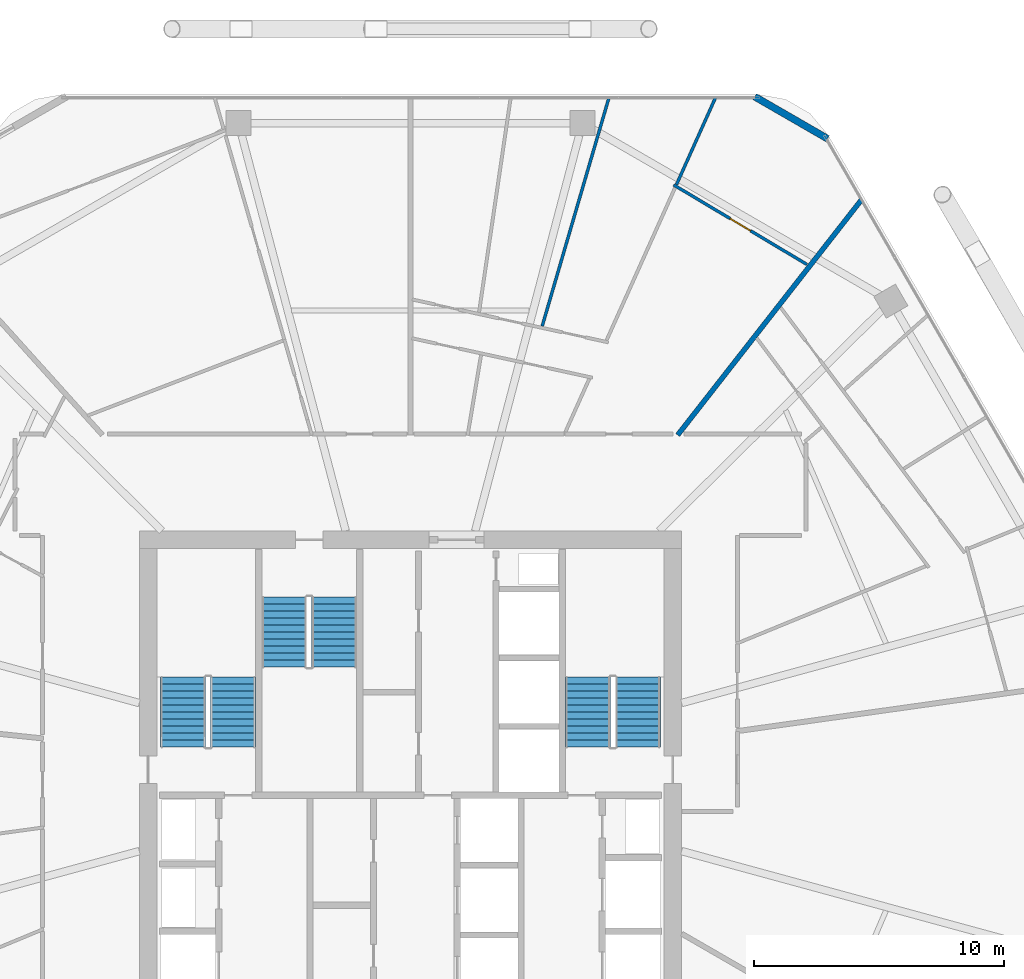
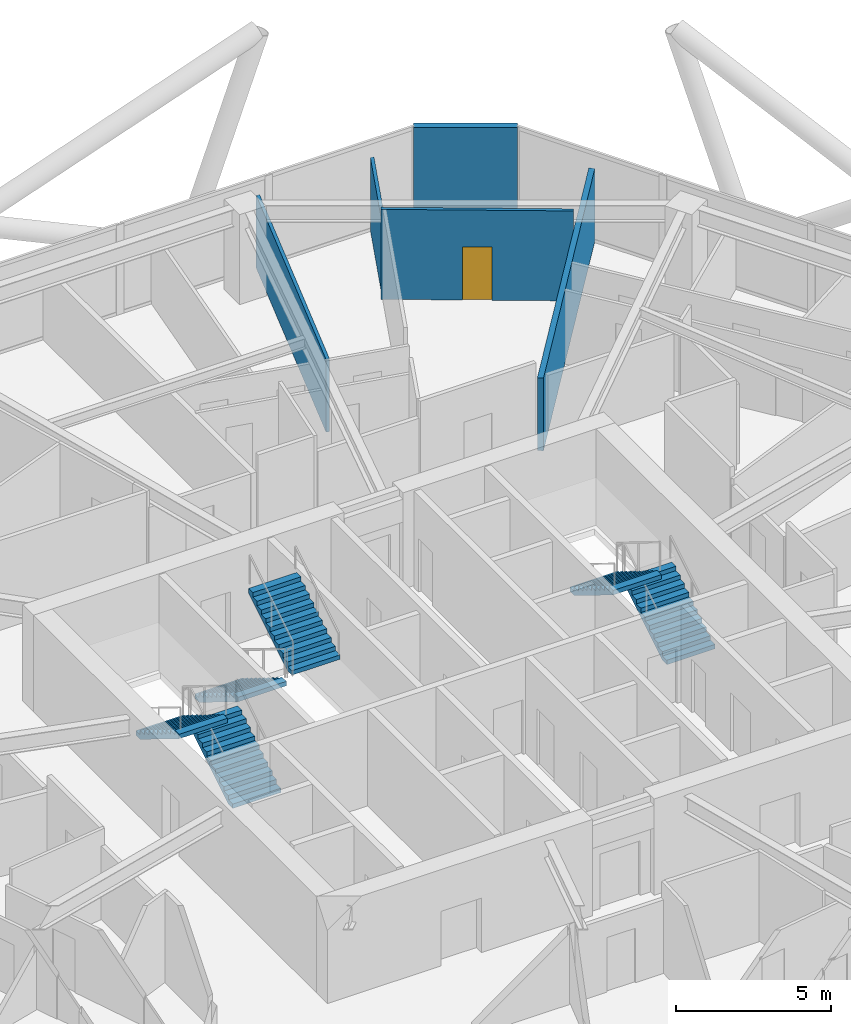
# One storey, part 25 of 28: 6 stair flights, 5 walls, 1 door, 1 opening, 3 elements without a shape of their own.
"""IFC4 building model written with IfcOpenShell, lengths in metres."""

from ifc_helpers import new_model, si_unit, direction, frame, frame_2d, origin, place, context, subcontext, project, spatial, polyline, rectangle, outline, extrude, material, layer, layer_set, type_object, element, fill, aggregate, save


model = new_model("IFC4")

# Units and contexts
model_context = context("Model", 3, precision=1e-05, world=origin(), true_north=direction((0.0, 1.0)))
body_context = subcontext(model_context, "Body", "Model", "MODEL_VIEW")
ifc_project = project(units=[si_unit("LENGTHUNIT", "METRE"), si_unit("AREAUNIT", "SQUARE_METRE"), si_unit("VOLUMEUNIT", "CUBIC_METRE"), si_unit("PLANEANGLEUNIT", "RADIAN"), si_unit("MASSUNIT", "GRAM", prefix="KILO")], contexts=[model_context])

# Site, building, storey
site_placement = place(None, origin())
site = spatial("IfcSite", under=ifc_project, at=site_placement, CompositionType="ELEMENT")
building_placement = place(site_placement, origin())
building = spatial("IfcBuilding", under=site, at=building_placement, Name="Zuhravey Tower", CompositionType="ELEMENT")
storey_placement = place(building_placement, frame((0.0, 0.0, 154.199951171875)))
storey = spatial("IfcBuildingStorey", under=building, at=storey_placement, Name="L38", CompositionType="ELEMENT", Elevation=154.199951171875)

# Walls
ifc_material_1 = material(Name="Precast concrete C40/50", Category="concrete")
ifc_layer_1 = layer(ifc_material_1, 0.280029296875)
ifc_layer_set_1 = layer_set([ifc_layer_1], Name="Precast concrete C40/50")
wall_type_1 = type_object("IfcWallType", Name="Crown Architectural Wall 280", PredefinedType="SOLIDWALL", material=ifc_layer_set_1)
wall_1_placement = place(storey_placement, frame((49.77880859375, 59.230712890625, 0.0), z_axis=(0.0, 0.0, 1.0), x_axis=(0.866020068361, -0.500009241111, 0.0)))
element("IfcWall", 1, at=wall_1_placement, inside=storey, type_object=wall_type_1, Name="L38 Rounded Corner Closure Wall EW28-10", PredefinedType="SOLIDWALL", context=body_context, shape_type="SweptSolid", body=[
    extrude(rectangle(XDim=3.365234375, YDim=0.280029296875, at=frame_2d((1.6826171875, 0.0))), origin(), (0.0, 0.0, 1.0), 3.550048828125),
])
ifc_material_2 = material(Name="Gypsum double-stud party assembly")
ifc_layer_2 = layer(ifc_material_2, 0.199951171875)
ifc_layer_set_2 = layer_set([ifc_layer_2], Name="Gypsum double-stud party assembly")
wall_type_2 = type_object("IfcWallType", Name="Inter-Tenancy Party Wall 200", PredefinedType="PARTITIONING", material=ifc_layer_set_2)
wall_2_placement = place(storey_placement, frame((46.69580078125, 45.68994140625, 0.0), z_axis=(0.0, 0.0, 1.0), x_axis=(0.615655544117, 0.788015387539, 0.0)))
element("IfcWall", 2, at=wall_2_placement, inside=storey, type_object=wall_type_2, Name="L38 IW20 Partition 068", PredefinedType="PARTITIONING", context=body_context, shape_type="SweptSolid", body=[
    extrude(rectangle(XDim=11.945068359375, YDim=0.199951171875, at=frame_2d((5.97265625, 0.0))), origin(), (0.0, 0.0, 1.0), 2.8701171875),
])

# Wall, opening, door
ifc_material_3 = material(Name="Gypsum metal-stud partition")
ifc_layer_3 = layer(ifc_material_3, 0.1201171875)
ifc_layer_set_3 = layer_set([ifc_layer_3], Name="Gypsum metal-stud partition")
wall_type_3 = type_object("IfcWallType", Name="Unit Internal Partition 120", PredefinedType="PARTITIONING", material=ifc_layer_set_3)
wall_3_placement = place(storey_placement, frame((51.8681640625, 52.515625, 0.0), z_axis=(0.0, 0.0, 1.0), x_axis=(-0.85861051464, 0.512628505012, 0.0)))
wall_3 = element("IfcWall", 3, at=wall_3_placement, inside=storey, type_object=wall_type_3, Name="L38 IW12 Partition 024", PredefinedType="PARTITIONING", context=body_context, shape_type="SweptSolid", body=[
    extrude(rectangle(XDim=6.214599609375, YDim=0.1201171875, at=frame_2d((3.107421875, 0.0))), origin(), (0.0, 0.0, 1.0), 3.550048828125),
])
opening_placement = place(wall_3_placement, frame((2.63232421875, 0.0, 0.0)))
opening = element("IfcOpeningElement", 4, at=opening_placement, cuts=wall_3, Name="Opening IND1", PredefinedType="OPENING", context=body_context, shape_type="SweptSolid", body=[
    extrude(rectangle(XDim=0.949951171875, YDim=2.10009765625, at=frame_2d((0.47509765625, 1.050048828125))), frame((0.0, 0.072021484375, 0.0), z_axis=(0.0, -1.0, 0.0), x_axis=(1.0, 0.0, 0.0)), (0.0, 0.0, 1.0), 0.14404296875),
])
ifc_material_4 = material(Name="Painted engineered timber leaf", Category="wood")
door_type = type_object("IfcDoorType", Name="Internal Room & Bedroom Door 950x2100", OperationType="NOTDEFINED", PredefinedType="DOOR", material=ifc_material_4)
door_placement = place(opening_placement, frame((0.949951171875, 0.0, 0.0), z_axis=(0.0, 0.0, 1.0), x_axis=(-1.0, 0.0, 0.0)))
door = element("IfcDoor", 5, at=door_placement, inside=storey, type_object=door_type, Name="Apartment L38-02 Family Study Door", OperationType="SINGLE_SWING_LEFT", OverallHeight=2.10009765625, OverallWidth=0.949951171875, PredefinedType="DOOR", context=body_context, shape_type="SweptSolid", body=[
    extrude(rectangle(XDim=0.949951171875, YDim=2.10009765625, at=frame_2d((0.47509765625, 1.050048828125))), frame((0.0, 0.02490234375, 0.0), z_axis=(0.0, -1.0, 0.0), x_axis=(1.0, 0.0, 0.0)), (0.0, 0.0, 1.0), 0.050048828125),
])
fill(opening, door)

# Walls
wall_4_placement = place(storey_placement, frame((41.272705078125, 50.046875, 0.0), z_axis=(0.0, 0.0, 1.0), x_axis=(0.280455502413, 0.959867027856, 0.0)))
element("IfcWall", 6, at=wall_4_placement, inside=storey, type_object=wall_type_3, Name="L38 IW12 Partition 070", PredefinedType="PARTITIONING", context=body_context, shape_type="SweptSolid", body=[
    extrude(rectangle(XDim=9.528564453125, YDim=0.1201171875, at=frame_2d((4.76416015625, 0.0))), origin(), (0.0, 0.0, 1.0), 2.8701171875),
])
wall_5_placement = place(storey_placement, frame((46.646728515625, 55.71240234375, 0.0), z_axis=(0.0, 0.0, 1.0), x_axis=(0.409634994126, 0.912249511695, 0.0)))
element("IfcWall", 7, at=wall_5_placement, inside=storey, type_object=wall_type_3, Name="L38 IW12 Partition 074", PredefinedType="PARTITIONING", context=body_context, shape_type="SweptSolid", body=[
    extrude(rectangle(XDim=3.8125, YDim=0.1201171875, at=frame_2d((1.90625, 0.0))), origin(), (0.0, 0.0, 1.0), 2.8701171875),
])

# Stair, stair flights
ifc_material_5 = material(Name="Concrete C40/50", Category="concrete")
stair_type = type_object("IfcStairType", Name="Housing Storey Stair Assembly 3800", PredefinedType="HALF_TURN_STAIR", material=ifc_material_5)
stair_1_placement = place(storey_placement, origin())
stair_1 = element("IfcStair", 8, at=stair_1_placement, inside=storey, type_object=stair_type, Name="L38 Core Exit Stair ST1", PredefinedType="HALF_TURN_STAIR")
stair_flight_type = type_object("IfcStairFlightType", Name="Housing Storey Stair Flight 3800", PredefinedType="STRAIGHT", material=ifc_material_5)
stair_flight_1_placement = place(storey_placement, frame((28.89990234375, 33.199951171875, 0.0), z_axis=(0.0, 0.0, 1.0), x_axis=(0.0, 1.0, 0.0)))
stair_flight_1 = element("IfcStairFlight", 9, at=stair_flight_1_placement, type_object=stair_flight_type, Name="ST1 flight 1", NumberOfRisers=11, NumberOfTreads=10, PredefinedType="STRAIGHT", RiserHeight=0.172727273, TreadLength=0.28, context=body_context, shape_type="SweptSolid", body=[
    extrude(outline(polyline([(0.0, 0.0), (0.0, 0.172607421875), (0.280029296875, 0.172607421875), (0.280029296875, 0.345458984375), (0.56005859375, 0.345458984375), (0.56005859375, 0.51806640625), (0.840087890625, 0.51806640625), (0.840087890625, 0.69091796875), (1.1201171875, 0.69091796875), (1.1201171875, 0.863525390625), (1.39990234375, 0.863525390625), (1.39990234375, 1.036376953125), (1.679931640625, 1.036376953125), (1.679931640625, 1.208984375), (1.9599609375, 1.208984375), (1.9599609375, 1.3818359375), (2.239990234375, 1.3818359375), (2.239990234375, 1.554443359375), (2.52001953125, 1.554443359375), (2.52001953125, 1.727294921875), (2.800048828125, 1.727294921875), (2.800048828125, 1.89990234375), (2.800048828125, 1.551025390625), (0.285400390625, 0.0), (0.0, 0.0)])), frame((0.0, 0.89990234375, 0.0), z_axis=(0.0, -1.0, 0.0), x_axis=(1.0, 0.0, 0.0)), (0.0, 0.0, 1.0), 1.800048828125),
])
stair_flight_2_placement = place(storey_placement, frame((26.89990234375, 36.0, 1.900146484375), z_axis=(0.0, 0.0, 1.0), x_axis=(0.0, -1.0, 0.0)))
stair_flight_2 = element("IfcStairFlight", 10, at=stair_flight_2_placement, type_object=stair_flight_type, Name="ST1 flight 2", NumberOfRisers=11, NumberOfTreads=10, PredefinedType="STRAIGHT", RiserHeight=0.172727273, TreadLength=0.28, context=body_context, shape_type="SweptSolid", body=[
    extrude(outline(polyline([(0.0, 0.0), (0.0, 0.172607421875), (0.280029296875, 0.172607421875), (0.280029296875, 0.345458984375), (0.56005859375, 0.345458984375), (0.56005859375, 0.51806640625), (0.840087890625, 0.51806640625), (0.840087890625, 0.69091796875), (1.1201171875, 0.69091796875), (1.1201171875, 0.863525390625), (1.39990234375, 0.863525390625), (1.39990234375, 1.036376953125), (1.679931640625, 1.036376953125), (1.679931640625, 1.208984375), (1.9599609375, 1.208984375), (1.9599609375, 1.3818359375), (2.239990234375, 1.3818359375), (2.239990234375, 1.554443359375), (2.52001953125, 1.554443359375), (2.52001953125, 1.727294921875), (2.800048828125, 1.727294921875), (2.800048828125, 1.89990234375), (2.800048828125, 1.551025390625), (0.285400390625, 0.0), (0.0, 0.0)])), frame((0.0, 0.89990234375, 0.0), z_axis=(0.0, -1.0, 0.0), x_axis=(1.0, 0.0, 0.0)), (0.0, 0.0, 1.0), 1.800048828125),
])
aggregate(stair_1, [stair_flight_1, stair_flight_2])

stair_2_placement = place(storey_placement, origin())
stair_2 = element("IfcStair", 11, at=stair_2_placement, inside=storey, type_object=stair_type, Name="L38 Core Exit Stair ST2", PredefinedType="HALF_TURN_STAIR")
stair_flight_3_placement = place(storey_placement, frame((45.10009765625, 33.199951171875, 0.0), z_axis=(0.0, 0.0, 1.0), x_axis=(0.0, 1.0, 0.0)))
stair_flight_3 = element("IfcStairFlight", 12, at=stair_flight_3_placement, type_object=stair_flight_type, Name="ST2 flight 1", NumberOfRisers=11, NumberOfTreads=10, PredefinedType="STRAIGHT", RiserHeight=0.172727273, TreadLength=0.28, context=body_context, shape_type="SweptSolid", body=[
    extrude(outline(polyline([(0.0, 0.0), (0.0, 0.172607421875), (0.280029296875, 0.172607421875), (0.280029296875, 0.345458984375), (0.56005859375, 0.345458984375), (0.56005859375, 0.51806640625), (0.840087890625, 0.51806640625), (0.840087890625, 0.69091796875), (1.1201171875, 0.69091796875), (1.1201171875, 0.863525390625), (1.39990234375, 0.863525390625), (1.39990234375, 1.036376953125), (1.679931640625, 1.036376953125), (1.679931640625, 1.208984375), (1.9599609375, 1.208984375), (1.9599609375, 1.3818359375), (2.239990234375, 1.3818359375), (2.239990234375, 1.554443359375), (2.52001953125, 1.554443359375), (2.52001953125, 1.727294921875), (2.800048828125, 1.727294921875), (2.800048828125, 1.89990234375), (2.800048828125, 1.551025390625), (0.285400390625, 0.0), (0.0, 0.0)])), frame((0.0, 0.89990234375, 0.0), z_axis=(0.0, -1.0, 0.0), x_axis=(1.0, 0.0, 0.0)), (0.0, 0.0, 1.0), 1.800048828125),
])
stair_flight_4_placement = place(storey_placement, frame((43.10009765625, 36.0, 1.900146484375), z_axis=(0.0, 0.0, 1.0), x_axis=(0.0, -1.0, 0.0)))
stair_flight_4 = element("IfcStairFlight", 13, at=stair_flight_4_placement, type_object=stair_flight_type, Name="ST2 flight 2", NumberOfRisers=11, NumberOfTreads=10, PredefinedType="STRAIGHT", RiserHeight=0.172727273, TreadLength=0.28, context=body_context, shape_type="SweptSolid", body=[
    extrude(outline(polyline([(0.0, 0.0), (0.0, 0.172607421875), (0.280029296875, 0.172607421875), (0.280029296875, 0.345458984375), (0.56005859375, 0.345458984375), (0.56005859375, 0.51806640625), (0.840087890625, 0.51806640625), (0.840087890625, 0.69091796875), (1.1201171875, 0.69091796875), (1.1201171875, 0.863525390625), (1.39990234375, 0.863525390625), (1.39990234375, 1.036376953125), (1.679931640625, 1.036376953125), (1.679931640625, 1.208984375), (1.9599609375, 1.208984375), (1.9599609375, 1.3818359375), (2.239990234375, 1.3818359375), (2.239990234375, 1.554443359375), (2.52001953125, 1.554443359375), (2.52001953125, 1.727294921875), (2.800048828125, 1.727294921875), (2.800048828125, 1.89990234375), (2.800048828125, 1.551025390625), (0.285400390625, 0.0), (0.0, 0.0)])), frame((0.0, 0.89990234375, 0.0), z_axis=(0.0, -1.0, 0.0), x_axis=(1.0, 0.0, 0.0)), (0.0, 0.0, 1.0), 1.800048828125),
])
aggregate(stair_2, [stair_flight_3, stair_flight_4])

stair_3_placement = place(storey_placement, origin())
stair_3 = element("IfcStair", 14, at=stair_3_placement, inside=storey, type_object=stair_type, Name="L38 Core Exit Stair ST3", PredefinedType="HALF_TURN_STAIR")
stair_flight_5_placement = place(storey_placement, frame((30.949951171875, 39.199951171875, 0.0), z_axis=(0.0, 0.0, 1.0), x_axis=(0.0, -1.0, 0.0)))
stair_flight_5 = element("IfcStairFlight", 15, at=stair_flight_5_placement, type_object=stair_flight_type, Name="ST3 flight 1", NumberOfRisers=11, NumberOfTreads=10, PredefinedType="STRAIGHT", RiserHeight=0.172727273, TreadLength=0.28, context=body_context, shape_type="SweptSolid", body=[
    extrude(outline(polyline([(0.0, 0.0), (0.0, 0.172607421875), (0.280029296875, 0.172607421875), (0.280029296875, 0.345458984375), (0.56005859375, 0.345458984375), (0.56005859375, 0.51806640625), (0.840087890625, 0.51806640625), (0.840087890625, 0.69091796875), (1.1201171875, 0.69091796875), (1.1201171875, 0.863525390625), (1.39990234375, 0.863525390625), (1.39990234375, 1.036376953125), (1.679931640625, 1.036376953125), (1.679931640625, 1.208984375), (1.9599609375, 1.208984375), (1.9599609375, 1.3818359375), (2.239990234375, 1.3818359375), (2.239990234375, 1.554443359375), (2.52001953125, 1.554443359375), (2.52001953125, 1.727294921875), (2.800048828125, 1.727294921875), (2.800048828125, 1.89990234375), (2.800048828125, 1.551025390625), (0.285400390625, 0.0), (0.0, 0.0)])), frame((0.0, 0.89990234375, 0.0), z_axis=(0.0, -1.0, 0.0), x_axis=(1.0, 0.0, 0.0)), (0.0, 0.0, 1.0), 1.800048828125),
])
stair_flight_6_placement = place(storey_placement, frame((32.949951171875, 36.39990234375, 1.900146484375), z_axis=(0.0, 0.0, 1.0), x_axis=(0.0, 1.0, 0.0)))
stair_flight_6 = element("IfcStairFlight", 16, at=stair_flight_6_placement, type_object=stair_flight_type, Name="ST3 flight 2", NumberOfRisers=11, NumberOfTreads=10, PredefinedType="STRAIGHT", RiserHeight=0.172727273, TreadLength=0.28, context=body_context, shape_type="SweptSolid", body=[
    extrude(outline(polyline([(0.0, 0.0), (0.0, 0.172607421875), (0.280029296875, 0.172607421875), (0.280029296875, 0.345458984375), (0.56005859375, 0.345458984375), (0.56005859375, 0.51806640625), (0.840087890625, 0.51806640625), (0.840087890625, 0.69091796875), (1.1201171875, 0.69091796875), (1.1201171875, 0.863525390625), (1.39990234375, 0.863525390625), (1.39990234375, 1.036376953125), (1.679931640625, 1.036376953125), (1.679931640625, 1.208984375), (1.9599609375, 1.208984375), (1.9599609375, 1.3818359375), (2.239990234375, 1.3818359375), (2.239990234375, 1.554443359375), (2.52001953125, 1.554443359375), (2.52001953125, 1.727294921875), (2.800048828125, 1.727294921875), (2.800048828125, 1.89990234375), (2.800048828125, 1.551025390625), (0.285400390625, 0.0), (0.0, 0.0)])), frame((0.0, 0.89990234375, 0.0), z_axis=(0.0, -1.0, 0.0), x_axis=(1.0, 0.0, 0.0)), (0.0, 0.0, 1.0), 1.800048828125),
])
aggregate(stair_3, [stair_flight_5, stair_flight_6])

save(model, "model.ifc")
